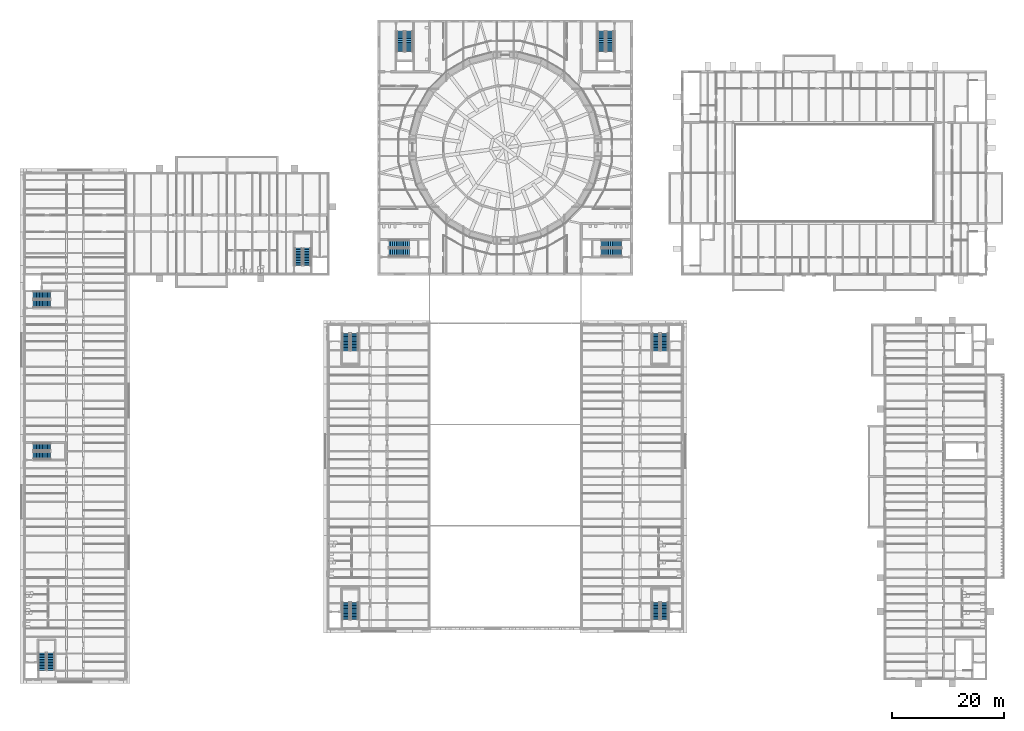
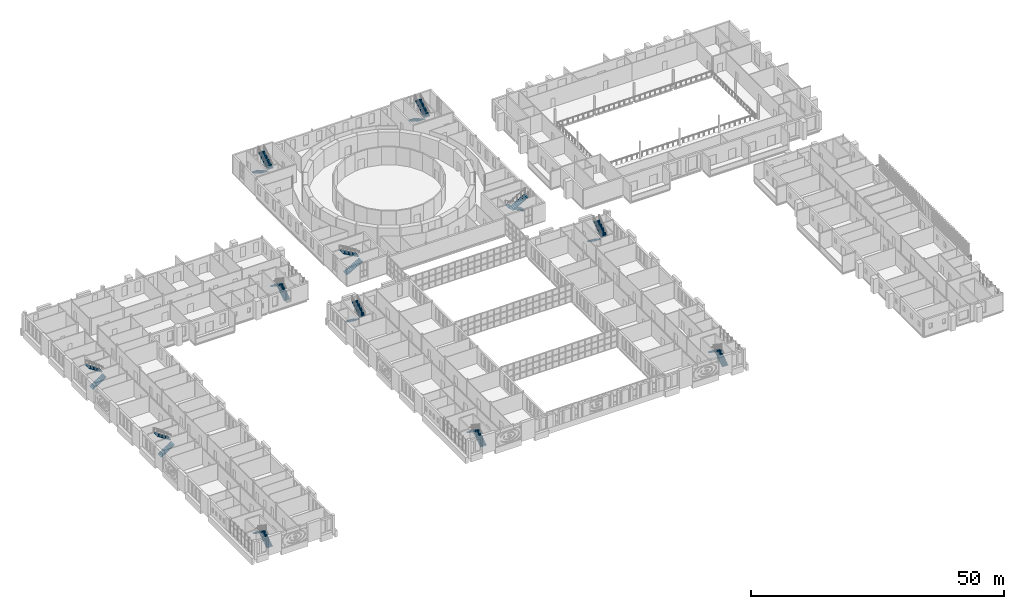
# One storey, part 96 of 131: 24 stair flights, 12 elements without a shape of their own.
"""IFC4 building model written with IfcOpenShell, lengths in metres."""

from ifc_helpers import new_model, si_unit, direction, frame, origin, place, context, subcontext, project, spatial, polyline, outline, extrude, material, type_object, element, aggregate, save


model = new_model("IFC4")

# Units and contexts
model_context = context("Model", 3, precision=1e-05, world=origin(), true_north=direction((0.0, 1.0)))
body_context = subcontext(model_context, "Body", "Model", "MODEL_VIEW")
ifc_project = project(units=[si_unit("LENGTHUNIT", "METRE"), si_unit("AREAUNIT", "SQUARE_METRE"), si_unit("VOLUMEUNIT", "CUBIC_METRE"), si_unit("PLANEANGLEUNIT", "RADIAN"), si_unit("MASSUNIT", "GRAM", prefix="KILO")], contexts=[model_context])

# Site, building, storey
site_placement = place(None, origin())
site = spatial("IfcSite", under=ifc_project, at=site_placement, CompositionType="ELEMENT")
building_placement = place(site_placement, origin())
building = spatial("IfcBuilding", under=site, at=building_placement, Name="Golden Quay Civic Hall", CompositionType="ELEMENT")
storey_placement = place(building_placement, frame((0.0, 0.0, 9.89990234375)))
storey = spatial("IfcBuildingStorey", under=building, at=storey_placement, Name="L02", CompositionType="ELEMENT", Elevation=9.89990234375)

# Stair, stair flights
ifc_material_1 = material(Name="Concrete C35/45", Category="concrete")
stair_type_1 = type_object("IfcStairType", Name="Concrete stair 1350 wide 24 risers of 187.5", PredefinedType="HALF_TURN_STAIR", material=ifc_material_1)
stair_1_placement = place(storey_placement, origin())
stair_1 = element("IfcStair", 1, at=stair_1_placement, inside=storey, type_object=stair_type_1, Name="L02 Stair WO-S", PredefinedType="HALF_TURN_STAIR")
ifc_material_2 = material(Name="Concrete C35/45", Category="concrete")
stair_flight_type_1 = type_object("IfcStairFlightType", Name="Concrete stair flight 1350 wide 12 risers of 187.5", PredefinedType="STRAIGHT", material=ifc_material_2)
stair_flight_1_placement = place(storey_placement, frame((4.675048828125, -7.449951171875, 0.0), z_axis=(0.0, 0.0, 1.0), x_axis=(0.0, 1.0, 0.0)))
stair_flight_1 = element("IfcStairFlight", 2, at=stair_flight_1_placement, type_object=stair_flight_type_1, Name="WO-S flight 1", NumberOfRisers=12, NumberOfTreads=11, PredefinedType="STRAIGHT", RiserHeight=0.1875, TreadLength=0.28, context=body_context, shape_type="SweptSolid", body=[
    extrude(outline(polyline([(0.0, 0.0), (0.0, 0.1875), (0.280029296875, 0.1875), (0.280029296875, 0.375), (0.56005859375, 0.375), (0.56005859375, 0.5625), (0.840087890625, 0.5625), (0.840087890625, 0.75), (1.1201171875, 0.75), (1.1201171875, 0.9375), (1.39990234375, 0.9375), (1.39990234375, 1.125), (1.679931640625, 1.125), (1.679931640625, 1.3125), (1.9599609375, 1.3125), (1.9599609375, 1.5), (2.239990234375, 1.5), (2.239990234375, 1.6875), (2.52001953125, 1.6875), (2.52001953125, 1.875), (2.800048828125, 1.875), (2.800048828125, 2.0625), (3.080078125, 2.0625), (3.080078125, 2.25), (3.080078125, 1.882080078125), (0.26953125, 0.0), (0.0, 0.0)])), frame((0.0, 0.675048828125, 0.0), z_axis=(0.0, -1.0, 0.0), x_axis=(1.0, 0.0, 0.0)), (0.0, 0.0, 1.0), 1.35),
])
stair_flight_2_placement = place(storey_placement, frame((3.175048828125, -4.3701171875, 2.25), z_axis=(0.0, 0.0, 1.0), x_axis=(0.0, -1.0, 0.0)))
stair_flight_2 = element("IfcStairFlight", 3, at=stair_flight_2_placement, type_object=stair_flight_type_1, Name="WO-S flight 2", NumberOfRisers=12, NumberOfTreads=11, PredefinedType="STRAIGHT", RiserHeight=0.1875, TreadLength=0.28, context=body_context, shape_type="SweptSolid", body=[
    extrude(outline(polyline([(0.0, 0.0), (0.0, 0.1875), (0.280029296875, 0.1875), (0.280029296875, 0.375), (0.56005859375, 0.375), (0.56005859375, 0.5625), (0.840087890625, 0.5625), (0.840087890625, 0.75), (1.1201171875, 0.75), (1.1201171875, 0.9375), (1.39990234375, 0.9375), (1.39990234375, 1.125), (1.679931640625, 1.125), (1.679931640625, 1.3125), (1.9599609375, 1.3125), (1.9599609375, 1.5), (2.239990234375, 1.5), (2.239990234375, 1.6875), (2.52001953125, 1.6875), (2.52001953125, 1.875), (2.800048828125, 1.875), (2.800048828125, 2.0625), (3.080078125, 2.0625), (3.080078125, 2.25), (3.080078125, 1.882080078125), (0.26953125, 0.0), (0.0, 0.0)])), frame((0.0, 0.675048828125, 0.0), z_axis=(0.0, -1.0, 0.0), x_axis=(1.0, 0.0, 0.0)), (0.0, 0.0, 1.0), 1.35),
])
aggregate(stair_1, [stair_flight_1, stair_flight_2])

stair_2_placement = place(storey_placement, origin())
stair_2 = element("IfcStair", 4, at=stair_2_placement, inside=storey, type_object=stair_type_1, Name="L02 Stair WO-N", PredefinedType="HALF_TURN_STAIR")
stair_flight_3_placement = place(storey_placement, frame((1.550048828125, 57.75, 0.0), z_axis=(0.0, 0.0, 1.0), x_axis=(1.0, 0.0, 0.0)))
stair_flight_3 = element("IfcStairFlight", 5, at=stair_flight_3_placement, type_object=stair_flight_type_1, Name="WO-N flight 1", NumberOfRisers=12, NumberOfTreads=11, PredefinedType="STRAIGHT", RiserHeight=0.1875, TreadLength=0.28, context=body_context, shape_type="SweptSolid", body=[
    extrude(outline(polyline([(0.0, 0.0), (0.0, 0.1875), (0.280029296875, 0.1875), (0.280029296875, 0.375), (0.56005859375, 0.375), (0.56005859375, 0.5625), (0.840087890625, 0.5625), (0.840087890625, 0.75), (1.1201171875, 0.75), (1.1201171875, 0.9375), (1.39990234375, 0.9375), (1.39990234375, 1.125), (1.679931640625, 1.125), (1.679931640625, 1.3125), (1.9599609375, 1.3125), (1.9599609375, 1.5), (2.239990234375, 1.5), (2.239990234375, 1.6875), (2.52001953125, 1.6875), (2.52001953125, 1.875), (2.800048828125, 1.875), (2.800048828125, 2.0625), (3.080078125, 2.0625), (3.080078125, 2.25), (3.080078125, 1.882080078125), (0.26953125, 0.0), (0.0, 0.0)])), frame((0.0, 0.675048828125, 0.0), z_axis=(0.0, -1.0, 0.0), x_axis=(1.0, 0.0, 0.0)), (0.0, 0.0, 1.0), 1.35),
])
stair_flight_4_placement = place(storey_placement, frame((4.6298828125, 59.25, 2.25), z_axis=(0.0, 0.0, 1.0), x_axis=(-1.0, 0.0, 0.0)))
stair_flight_4 = element("IfcStairFlight", 6, at=stair_flight_4_placement, type_object=stair_flight_type_1, Name="WO-N flight 2", NumberOfRisers=12, NumberOfTreads=11, PredefinedType="STRAIGHT", RiserHeight=0.1875, TreadLength=0.28, context=body_context, shape_type="SweptSolid", body=[
    extrude(outline(polyline([(0.0, 0.0), (0.0, 0.1875), (0.280029296875, 0.1875), (0.280029296875, 0.375), (0.56005859375, 0.375), (0.56005859375, 0.5625), (0.840087890625, 0.5625), (0.840087890625, 0.75), (1.1201171875, 0.75), (1.1201171875, 0.9375), (1.39990234375, 0.9375), (1.39990234375, 1.125), (1.679931640625, 1.125), (1.679931640625, 1.3125), (1.9599609375, 1.3125), (1.9599609375, 1.5), (2.239990234375, 1.5), (2.239990234375, 1.6875), (2.52001953125, 1.6875), (2.52001953125, 1.875), (2.800048828125, 1.875), (2.800048828125, 2.0625), (3.080078125, 2.0625), (3.080078125, 2.25), (3.080078125, 1.882080078125), (0.26953125, 0.0), (0.0, 0.0)])), frame((0.0, 0.675048828125, 0.0), z_axis=(0.0, -1.0, 0.0), x_axis=(1.0, 0.0, 0.0)), (0.0, 0.0, 1.0), 1.35),
])
aggregate(stair_2, [stair_flight_3, stair_flight_4])

stair_3_placement = place(storey_placement, origin())
stair_3 = element("IfcStair", 7, at=stair_3_placement, inside=storey, type_object=stair_type_1, Name="L02 Stair WO-M", PredefinedType="HALF_TURN_STAIR")
stair_flight_5_placement = place(storey_placement, frame((1.550048828125, 30.75, 0.0), z_axis=(0.0, 0.0, 1.0), x_axis=(1.0, 0.0, 0.0)))
stair_flight_5 = element("IfcStairFlight", 8, at=stair_flight_5_placement, type_object=stair_flight_type_1, Name="WO-M flight 1", NumberOfRisers=12, NumberOfTreads=11, PredefinedType="STRAIGHT", RiserHeight=0.1875, TreadLength=0.28, context=body_context, shape_type="SweptSolid", body=[
    extrude(outline(polyline([(0.0, 0.0), (0.0, 0.1875), (0.280029296875, 0.1875), (0.280029296875, 0.375), (0.56005859375, 0.375), (0.56005859375, 0.5625), (0.840087890625, 0.5625), (0.840087890625, 0.75), (1.1201171875, 0.75), (1.1201171875, 0.9375), (1.39990234375, 0.9375), (1.39990234375, 1.125), (1.679931640625, 1.125), (1.679931640625, 1.3125), (1.9599609375, 1.3125), (1.9599609375, 1.5), (2.239990234375, 1.5), (2.239990234375, 1.6875), (2.52001953125, 1.6875), (2.52001953125, 1.875), (2.800048828125, 1.875), (2.800048828125, 2.0625), (3.080078125, 2.0625), (3.080078125, 2.25), (3.080078125, 1.882080078125), (0.26953125, 0.0), (0.0, 0.0)])), frame((0.0, 0.675048828125, 0.0), z_axis=(0.0, -1.0, 0.0), x_axis=(1.0, 0.0, 0.0)), (0.0, 0.0, 1.0), 1.35),
])
stair_flight_6_placement = place(storey_placement, frame((4.6298828125, 32.25, 2.25), z_axis=(0.0, 0.0, 1.0), x_axis=(-1.0, 0.0, 0.0)))
stair_flight_6 = element("IfcStairFlight", 9, at=stair_flight_6_placement, type_object=stair_flight_type_1, Name="WO-M flight 2", NumberOfRisers=12, NumberOfTreads=11, PredefinedType="STRAIGHT", RiserHeight=0.1875, TreadLength=0.28, context=body_context, shape_type="SweptSolid", body=[
    extrude(outline(polyline([(0.0, 0.0), (0.0, 0.1875), (0.280029296875, 0.1875), (0.280029296875, 0.375), (0.56005859375, 0.375), (0.56005859375, 0.5625), (0.840087890625, 0.5625), (0.840087890625, 0.75), (1.1201171875, 0.75), (1.1201171875, 0.9375), (1.39990234375, 0.9375), (1.39990234375, 1.125), (1.679931640625, 1.125), (1.679931640625, 1.3125), (1.9599609375, 1.3125), (1.9599609375, 1.5), (2.239990234375, 1.5), (2.239990234375, 1.6875), (2.52001953125, 1.6875), (2.52001953125, 1.875), (2.800048828125, 1.875), (2.800048828125, 2.0625), (3.080078125, 2.0625), (3.080078125, 2.25), (3.080078125, 1.882080078125), (0.26953125, 0.0), (0.0, 0.0)])), frame((0.0, 0.675048828125, 0.0), z_axis=(0.0, -1.0, 0.0), x_axis=(1.0, 0.0, 0.0)), (0.0, 0.0, 1.0), 1.35),
])
aggregate(stair_3, [stair_flight_5, stair_flight_6])

stair_4_placement = place(storey_placement, origin())
stair_4 = element("IfcStair", 10, at=stair_4_placement, inside=storey, type_object=stair_type_1, Name="L02 Stair NW-E", PredefinedType="HALF_TURN_STAIR")
stair_flight_7_placement = place(storey_placement, frame((50.25, 64.550048828125, 0.0), z_axis=(0.0, 0.0, 1.0), x_axis=(0.0, 1.0, 0.0)))
stair_flight_7 = element("IfcStairFlight", 11, at=stair_flight_7_placement, type_object=stair_flight_type_1, Name="NW-E flight 1", NumberOfRisers=12, NumberOfTreads=11, PredefinedType="STRAIGHT", RiserHeight=0.1875, TreadLength=0.28, context=body_context, shape_type="SweptSolid", body=[
    extrude(outline(polyline([(0.0, 0.0), (0.0, 0.1875), (0.280029296875, 0.1875), (0.280029296875, 0.375), (0.56005859375, 0.375), (0.56005859375, 0.5625), (0.840087890625, 0.5625), (0.840087890625, 0.75), (1.1201171875, 0.75), (1.1201171875, 0.9375), (1.39990234375, 0.9375), (1.39990234375, 1.125), (1.679931640625, 1.125), (1.679931640625, 1.3125), (1.9599609375, 1.3125), (1.9599609375, 1.5), (2.239990234375, 1.5), (2.239990234375, 1.6875), (2.52001953125, 1.6875), (2.52001953125, 1.875), (2.800048828125, 1.875), (2.800048828125, 2.0625), (3.080078125, 2.0625), (3.080078125, 2.25), (3.080078125, 1.882080078125), (0.26953125, 0.0), (0.0, 0.0)])), frame((0.0, 0.675048828125, 0.0), z_axis=(0.0, -1.0, 0.0), x_axis=(1.0, 0.0, 0.0)), (0.0, 0.0, 1.0), 1.35),
])
stair_flight_8_placement = place(storey_placement, frame((48.75, 67.6298828125, 2.25), z_axis=(0.0, 0.0, 1.0), x_axis=(0.0, -1.0, 0.0)))
stair_flight_8 = element("IfcStairFlight", 12, at=stair_flight_8_placement, type_object=stair_flight_type_1, Name="NW-E flight 2", NumberOfRisers=12, NumberOfTreads=11, PredefinedType="STRAIGHT", RiserHeight=0.1875, TreadLength=0.28, context=body_context, shape_type="SweptSolid", body=[
    extrude(outline(polyline([(0.0, 0.0), (0.0, 0.1875), (0.280029296875, 0.1875), (0.280029296875, 0.375), (0.56005859375, 0.375), (0.56005859375, 0.5625), (0.840087890625, 0.5625), (0.840087890625, 0.75), (1.1201171875, 0.75), (1.1201171875, 0.9375), (1.39990234375, 0.9375), (1.39990234375, 1.125), (1.679931640625, 1.125), (1.679931640625, 1.3125), (1.9599609375, 1.3125), (1.9599609375, 1.5), (2.239990234375, 1.5), (2.239990234375, 1.6875), (2.52001953125, 1.6875), (2.52001953125, 1.875), (2.800048828125, 1.875), (2.800048828125, 2.0625), (3.080078125, 2.0625), (3.080078125, 2.25), (3.080078125, 1.882080078125), (0.26953125, 0.0), (0.0, 0.0)])), frame((0.0, 0.675048828125, 0.0), z_axis=(0.0, -1.0, 0.0), x_axis=(1.0, 0.0, 0.0)), (0.0, 0.0, 1.0), 1.35),
])
aggregate(stair_4, [stair_flight_7, stair_flight_8])

stair_5_placement = place(storey_placement, origin())
stair_5 = element("IfcStair", 13, at=stair_5_placement, inside=storey, type_object=stair_type_1, Name="L02 Stair WM-S", PredefinedType="HALF_TURN_STAIR")
stair_flight_9_placement = place(storey_placement, frame((58.675048828125, 1.550048828125, 0.0), z_axis=(0.0, 0.0, 1.0), x_axis=(0.0, 1.0, 0.0)))
stair_flight_9 = element("IfcStairFlight", 14, at=stair_flight_9_placement, type_object=stair_flight_type_1, Name="WM-S flight 1", NumberOfRisers=12, NumberOfTreads=11, PredefinedType="STRAIGHT", RiserHeight=0.1875, TreadLength=0.28, context=body_context, shape_type="SweptSolid", body=[
    extrude(outline(polyline([(0.0, 0.0), (0.0, 0.1875), (0.280029296875, 0.1875), (0.280029296875, 0.375), (0.56005859375, 0.375), (0.56005859375, 0.5625), (0.840087890625, 0.5625), (0.840087890625, 0.75), (1.1201171875, 0.75), (1.1201171875, 0.9375), (1.39990234375, 0.9375), (1.39990234375, 1.125), (1.679931640625, 1.125), (1.679931640625, 1.3125), (1.9599609375, 1.3125), (1.9599609375, 1.5), (2.239990234375, 1.5), (2.239990234375, 1.6875), (2.52001953125, 1.6875), (2.52001953125, 1.875), (2.800048828125, 1.875), (2.800048828125, 2.0625), (3.080078125, 2.0625), (3.080078125, 2.25), (3.080078125, 1.882080078125), (0.26953125, 0.0), (0.0, 0.0)])), frame((0.0, 0.675048828125, 0.0), z_axis=(0.0, -1.0, 0.0), x_axis=(1.0, 0.0, 0.0)), (0.0, 0.0, 1.0), 1.35),
])
stair_flight_10_placement = place(storey_placement, frame((57.175048828125, 4.6298828125, 2.25), z_axis=(0.0, 0.0, 1.0), x_axis=(0.0, -1.0, 0.0)))
stair_flight_10 = element("IfcStairFlight", 15, at=stair_flight_10_placement, type_object=stair_flight_type_1, Name="WM-S flight 2", NumberOfRisers=12, NumberOfTreads=11, PredefinedType="STRAIGHT", RiserHeight=0.1875, TreadLength=0.28, context=body_context, shape_type="SweptSolid", body=[
    extrude(outline(polyline([(0.0, 0.0), (0.0, 0.1875), (0.280029296875, 0.1875), (0.280029296875, 0.375), (0.56005859375, 0.375), (0.56005859375, 0.5625), (0.840087890625, 0.5625), (0.840087890625, 0.75), (1.1201171875, 0.75), (1.1201171875, 0.9375), (1.39990234375, 0.9375), (1.39990234375, 1.125), (1.679931640625, 1.125), (1.679931640625, 1.3125), (1.9599609375, 1.3125), (1.9599609375, 1.5), (2.239990234375, 1.5), (2.239990234375, 1.6875), (2.52001953125, 1.6875), (2.52001953125, 1.875), (2.800048828125, 1.875), (2.800048828125, 2.0625), (3.080078125, 2.0625), (3.080078125, 2.25), (3.080078125, 1.882080078125), (0.26953125, 0.0), (0.0, 0.0)])), frame((0.0, 0.675048828125, 0.0), z_axis=(0.0, -1.0, 0.0), x_axis=(1.0, 0.0, 0.0)), (0.0, 0.0, 1.0), 1.35),
])
aggregate(stair_5, [stair_flight_9, stair_flight_10])

stair_6_placement = place(storey_placement, origin())
stair_6 = element("IfcStair", 16, at=stair_6_placement, inside=storey, type_object=stair_type_1, Name="L02 Stair WM-N", PredefinedType="HALF_TURN_STAIR")
stair_flight_11_placement = place(storey_placement, frame((57.175048828125, 52.449951171875, 0.0), z_axis=(0.0, 0.0, 1.0), x_axis=(0.0, -1.0, 0.0)))
stair_flight_11 = element("IfcStairFlight", 17, at=stair_flight_11_placement, type_object=stair_flight_type_1, Name="WM-N flight 1", NumberOfRisers=12, NumberOfTreads=11, PredefinedType="STRAIGHT", RiserHeight=0.1875, TreadLength=0.28, context=body_context, shape_type="SweptSolid", body=[
    extrude(outline(polyline([(0.0, 0.0), (0.0, 0.1875), (0.280029296875, 0.1875), (0.280029296875, 0.375), (0.56005859375, 0.375), (0.56005859375, 0.5625), (0.840087890625, 0.5625), (0.840087890625, 0.75), (1.1201171875, 0.75), (1.1201171875, 0.9375), (1.39990234375, 0.9375), (1.39990234375, 1.125), (1.679931640625, 1.125), (1.679931640625, 1.3125), (1.9599609375, 1.3125), (1.9599609375, 1.5), (2.239990234375, 1.5), (2.239990234375, 1.6875), (2.52001953125, 1.6875), (2.52001953125, 1.875), (2.800048828125, 1.875), (2.800048828125, 2.0625), (3.080078125, 2.0625), (3.080078125, 2.25), (3.080078125, 1.882080078125), (0.26953125, 0.0), (0.0, 0.0)])), frame((0.0, 0.675048828125, 0.0), z_axis=(0.0, -1.0, 0.0), x_axis=(1.0, 0.0, 0.0)), (0.0, 0.0, 1.0), 1.35),
])
stair_flight_12_placement = place(storey_placement, frame((58.675048828125, 49.3701171875, 2.25), z_axis=(0.0, 0.0, 1.0), x_axis=(0.0, 1.0, 0.0)))
stair_flight_12 = element("IfcStairFlight", 18, at=stair_flight_12_placement, type_object=stair_flight_type_1, Name="WM-N flight 2", NumberOfRisers=12, NumberOfTreads=11, PredefinedType="STRAIGHT", RiserHeight=0.1875, TreadLength=0.28, context=body_context, shape_type="SweptSolid", body=[
    extrude(outline(polyline([(0.0, 0.0), (0.0, 0.1875), (0.280029296875, 0.1875), (0.280029296875, 0.375), (0.56005859375, 0.375), (0.56005859375, 0.5625), (0.840087890625, 0.5625), (0.840087890625, 0.75), (1.1201171875, 0.75), (1.1201171875, 0.9375), (1.39990234375, 0.9375), (1.39990234375, 1.125), (1.679931640625, 1.125), (1.679931640625, 1.3125), (1.9599609375, 1.3125), (1.9599609375, 1.5), (2.239990234375, 1.5), (2.239990234375, 1.6875), (2.52001953125, 1.6875), (2.52001953125, 1.875), (2.800048828125, 1.875), (2.800048828125, 2.0625), (3.080078125, 2.0625), (3.080078125, 2.25), (3.080078125, 1.882080078125), (0.26953125, 0.0), (0.0, 0.0)])), frame((0.0, 0.675048828125, 0.0), z_axis=(0.0, -1.0, 0.0), x_axis=(1.0, 0.0, 0.0)), (0.0, 0.0, 1.0), 1.35),
])
aggregate(stair_6, [stair_flight_11, stair_flight_12])

stair_7_placement = place(storey_placement, origin())
stair_7 = element("IfcStair", 19, at=stair_7_placement, inside=storey, type_object=stair_type_1, Name="L02 Stair EM-S", PredefinedType="HALF_TURN_STAIR")
stair_flight_13_placement = place(storey_placement, frame((113.824951171875, 1.550048828125, 0.0), z_axis=(0.0, 0.0, 1.0), x_axis=(0.0, 1.0, 0.0)))
stair_flight_13 = element("IfcStairFlight", 20, at=stair_flight_13_placement, type_object=stair_flight_type_1, Name="EM-S flight 1", NumberOfRisers=12, NumberOfTreads=11, PredefinedType="STRAIGHT", RiserHeight=0.1875, TreadLength=0.28, context=body_context, shape_type="SweptSolid", body=[
    extrude(outline(polyline([(0.0, 0.0), (0.0, 0.1875), (0.280029296875, 0.1875), (0.280029296875, 0.375), (0.56005859375, 0.375), (0.56005859375, 0.5625), (0.840087890625, 0.5625), (0.840087890625, 0.75), (1.1201171875, 0.75), (1.1201171875, 0.9375), (1.39990234375, 0.9375), (1.39990234375, 1.125), (1.679931640625, 1.125), (1.679931640625, 1.3125), (1.9599609375, 1.3125), (1.9599609375, 1.5), (2.239990234375, 1.5), (2.239990234375, 1.6875), (2.52001953125, 1.6875), (2.52001953125, 1.875), (2.800048828125, 1.875), (2.800048828125, 2.0625), (3.080078125, 2.0625), (3.080078125, 2.25), (3.080078125, 1.882080078125), (0.26953125, 0.0), (0.0, 0.0)])), frame((0.0, 0.675048828125, 0.0), z_axis=(0.0, -1.0, 0.0), x_axis=(1.0, 0.0, 0.0)), (0.0, 0.0, 1.0), 1.35),
])
stair_flight_14_placement = place(storey_placement, frame((112.324951171875, 4.6298828125, 2.25), z_axis=(0.0, 0.0, 1.0), x_axis=(0.0, -1.0, 0.0)))
stair_flight_14 = element("IfcStairFlight", 21, at=stair_flight_14_placement, type_object=stair_flight_type_1, Name="EM-S flight 2", NumberOfRisers=12, NumberOfTreads=11, PredefinedType="STRAIGHT", RiserHeight=0.1875, TreadLength=0.28, context=body_context, shape_type="SweptSolid", body=[
    extrude(outline(polyline([(0.0, 0.0), (0.0, 0.1875), (0.280029296875, 0.1875), (0.280029296875, 0.375), (0.56005859375, 0.375), (0.56005859375, 0.5625), (0.840087890625, 0.5625), (0.840087890625, 0.75), (1.1201171875, 0.75), (1.1201171875, 0.9375), (1.39990234375, 0.9375), (1.39990234375, 1.125), (1.679931640625, 1.125), (1.679931640625, 1.3125), (1.9599609375, 1.3125), (1.9599609375, 1.5), (2.239990234375, 1.5), (2.239990234375, 1.6875), (2.52001953125, 1.6875), (2.52001953125, 1.875), (2.800048828125, 1.875), (2.800048828125, 2.0625), (3.080078125, 2.0625), (3.080078125, 2.25), (3.080078125, 1.882080078125), (0.26953125, 0.0), (0.0, 0.0)])), frame((0.0, 0.675048828125, 0.0), z_axis=(0.0, -1.0, 0.0), x_axis=(1.0, 0.0, 0.0)), (0.0, 0.0, 1.0), 1.35),
])
aggregate(stair_7, [stair_flight_13, stair_flight_14])

stair_8_placement = place(storey_placement, origin())
stair_8 = element("IfcStair", 22, at=stair_8_placement, inside=storey, type_object=stair_type_1, Name="L02 Stair EM-N", PredefinedType="HALF_TURN_STAIR")
stair_flight_15_placement = place(storey_placement, frame((112.324951171875, 52.449951171875, 0.0), z_axis=(0.0, 0.0, 1.0), x_axis=(0.0, -1.0, 0.0)))
stair_flight_15 = element("IfcStairFlight", 23, at=stair_flight_15_placement, type_object=stair_flight_type_1, Name="EM-N flight 1", NumberOfRisers=12, NumberOfTreads=11, PredefinedType="STRAIGHT", RiserHeight=0.1875, TreadLength=0.28, context=body_context, shape_type="SweptSolid", body=[
    extrude(outline(polyline([(0.0, 0.0), (0.0, 0.1875), (0.280029296875, 0.1875), (0.280029296875, 0.375), (0.56005859375, 0.375), (0.56005859375, 0.5625), (0.840087890625, 0.5625), (0.840087890625, 0.75), (1.1201171875, 0.75), (1.1201171875, 0.9375), (1.39990234375, 0.9375), (1.39990234375, 1.125), (1.679931640625, 1.125), (1.679931640625, 1.3125), (1.9599609375, 1.3125), (1.9599609375, 1.5), (2.239990234375, 1.5), (2.239990234375, 1.6875), (2.52001953125, 1.6875), (2.52001953125, 1.875), (2.800048828125, 1.875), (2.800048828125, 2.0625), (3.080078125, 2.0625), (3.080078125, 2.25), (3.080078125, 1.882080078125), (0.26953125, 0.0), (0.0, 0.0)])), frame((0.0, 0.675048828125, 0.0), z_axis=(0.0, -1.0, 0.0), x_axis=(1.0, 0.0, 0.0)), (0.0, 0.0, 1.0), 1.35),
])
stair_flight_16_placement = place(storey_placement, frame((113.824951171875, 49.3701171875, 2.25), z_axis=(0.0, 0.0, 1.0), x_axis=(0.0, 1.0, 0.0)))
stair_flight_16 = element("IfcStairFlight", 24, at=stair_flight_16_placement, type_object=stair_flight_type_1, Name="EM-N flight 2", NumberOfRisers=12, NumberOfTreads=11, PredefinedType="STRAIGHT", RiserHeight=0.1875, TreadLength=0.28, context=body_context, shape_type="SweptSolid", body=[
    extrude(outline(polyline([(0.0, 0.0), (0.0, 0.1875), (0.280029296875, 0.1875), (0.280029296875, 0.375), (0.56005859375, 0.375), (0.56005859375, 0.5625), (0.840087890625, 0.5625), (0.840087890625, 0.75), (1.1201171875, 0.75), (1.1201171875, 0.9375), (1.39990234375, 0.9375), (1.39990234375, 1.125), (1.679931640625, 1.125), (1.679931640625, 1.3125), (1.9599609375, 1.3125), (1.9599609375, 1.5), (2.239990234375, 1.5), (2.239990234375, 1.6875), (2.52001953125, 1.6875), (2.52001953125, 1.875), (2.800048828125, 1.875), (2.800048828125, 2.0625), (3.080078125, 2.0625), (3.080078125, 2.25), (3.080078125, 1.882080078125), (0.26953125, 0.0), (0.0, 0.0)])), frame((0.0, 0.675048828125, 0.0), z_axis=(0.0, -1.0, 0.0), x_axis=(1.0, 0.0, 0.0)), (0.0, 0.0, 1.0), 1.35),
])
aggregate(stair_8, [stair_flight_15, stair_flight_16])

ifc_material_3 = material(Name="Concrete C35/45", Category="concrete")
stair_type_2 = type_object("IfcStairType", Name="Reinforced concrete stair 1350", PredefinedType="HALF_TURN_STAIR", material=ifc_material_3)
stair_9_placement = place(storey_placement, origin())
stair_9 = element("IfcStair", 25, at=stair_9_placement, inside=storey, type_object=stair_type_2, Name="L02 Core stair SW", PredefinedType="HALF_TURN_STAIR")
ifc_material_4 = material(Name="Concrete C35/45", Category="concrete")
stair_flight_type_2 = type_object("IfcStairFlightType", Name="Reinforced concrete stair flight 1350", PredefinedType="STRAIGHT", material=ifc_material_4)
stair_flight_17_placement = place(storey_placement, frame((64.800048828125, 66.875, 0.0), z_axis=(0.0, 0.0, 1.0), x_axis=(1.0, 0.0, 0.0)))
stair_flight_17 = element("IfcStairFlight", 26, at=stair_flight_17_placement, type_object=stair_flight_type_2, Name="CB-SW flight 1", NumberOfRisers=12, NumberOfTreads=11, PredefinedType="STRAIGHT", RiserHeight=0.1875, TreadLength=0.33, context=body_context, shape_type="SweptSolid", body=[
    extrude(outline(polyline([(0.0, 0.0), (0.0, 0.1875), (0.330078125, 0.1875), (0.330078125, 0.375), (0.659912109375, 0.375), (0.659912109375, 0.5625), (0.989990234375, 0.5625), (0.989990234375, 0.75), (1.320068359375, 0.75), (1.320068359375, 0.9375), (1.64990234375, 0.9375), (1.64990234375, 1.125), (1.97998046875, 1.125), (1.97998046875, 1.3125), (2.31005859375, 1.3125), (2.31005859375, 1.5), (2.639892578125, 1.5), (2.639892578125, 1.6875), (2.969970703125, 1.6875), (2.969970703125, 1.875), (3.300048828125, 1.875), (3.300048828125, 2.0625), (3.6298828125, 2.0625), (3.6298828125, 2.25), (3.6298828125, 1.89013671875), (0.303466796875, 0.0), (0.0, 0.0)])), frame((0.0, 0.675048828125, 0.0), z_axis=(0.0, -1.0, 0.0), x_axis=(1.0, 0.0, 0.0)), (0.0, 0.0, 1.0), 1.35),
])
stair_flight_18_placement = place(storey_placement, frame((68.429931640625, 68.375, 2.25), z_axis=(0.0, 0.0, 1.0), x_axis=(-1.0, 0.0, 0.0)))
stair_flight_18 = element("IfcStairFlight", 27, at=stair_flight_18_placement, type_object=stair_flight_type_2, Name="CB-SW flight 2", NumberOfRisers=12, NumberOfTreads=11, PredefinedType="STRAIGHT", RiserHeight=0.1875, TreadLength=0.33, context=body_context, shape_type="SweptSolid", body=[
    extrude(outline(polyline([(0.0, 0.0), (0.0, 0.1875), (0.330078125, 0.1875), (0.330078125, 0.375), (0.659912109375, 0.375), (0.659912109375, 0.5625), (0.989990234375, 0.5625), (0.989990234375, 0.75), (1.320068359375, 0.75), (1.320068359375, 0.9375), (1.64990234375, 0.9375), (1.64990234375, 1.125), (1.97998046875, 1.125), (1.97998046875, 1.3125), (2.31005859375, 1.3125), (2.31005859375, 1.5), (2.639892578125, 1.5), (2.639892578125, 1.6875), (2.969970703125, 1.6875), (2.969970703125, 1.875), (3.300048828125, 1.875), (3.300048828125, 2.0625), (3.6298828125, 2.0625), (3.6298828125, 2.25), (3.6298828125, 1.89013671875), (0.303466796875, 0.0), (0.0, 0.0)])), frame((0.0, 0.675048828125, 0.0), z_axis=(0.0, -1.0, 0.0), x_axis=(1.0, 0.0, 0.0)), (0.0, 0.0, 1.0), 1.35),
])
aggregate(stair_9, [stair_flight_17, stair_flight_18])

stair_10_placement = place(storey_placement, origin())
stair_10 = element("IfcStair", 28, at=stair_10_placement, inside=storey, type_object=stair_type_2, Name="L02 Core stair SE", PredefinedType="HALF_TURN_STAIR")
stair_flight_19_placement = place(storey_placement, frame((106.199951171875, 68.375, 0.0), z_axis=(0.0, 0.0, 1.0), x_axis=(-1.0, 0.0, 0.0)))
stair_flight_19 = element("IfcStairFlight", 29, at=stair_flight_19_placement, type_object=stair_flight_type_2, Name="CB-SE flight 1", NumberOfRisers=12, NumberOfTreads=11, PredefinedType="STRAIGHT", RiserHeight=0.1875, TreadLength=0.33, context=body_context, shape_type="SweptSolid", body=[
    extrude(outline(polyline([(0.0, 0.0), (0.0, 0.1875), (0.330078125, 0.1875), (0.330078125, 0.375), (0.659912109375, 0.375), (0.659912109375, 0.5625), (0.989990234375, 0.5625), (0.989990234375, 0.75), (1.320068359375, 0.75), (1.320068359375, 0.9375), (1.64990234375, 0.9375), (1.64990234375, 1.125), (1.97998046875, 1.125), (1.97998046875, 1.3125), (2.31005859375, 1.3125), (2.31005859375, 1.5), (2.639892578125, 1.5), (2.639892578125, 1.6875), (2.969970703125, 1.6875), (2.969970703125, 1.875), (3.300048828125, 1.875), (3.300048828125, 2.0625), (3.6298828125, 2.0625), (3.6298828125, 2.25), (3.6298828125, 1.89013671875), (0.303466796875, 0.0), (0.0, 0.0)])), frame((0.0, 0.675048828125, 0.0), z_axis=(0.0, -1.0, 0.0), x_axis=(1.0, 0.0, 0.0)), (0.0, 0.0, 1.0), 1.35),
])
stair_flight_20_placement = place(storey_placement, frame((102.570068359375, 66.875, 2.25), z_axis=(0.0, 0.0, 1.0), x_axis=(1.0, 0.0, 0.0)))
stair_flight_20 = element("IfcStairFlight", 30, at=stair_flight_20_placement, type_object=stair_flight_type_2, Name="CB-SE flight 2", NumberOfRisers=12, NumberOfTreads=11, PredefinedType="STRAIGHT", RiserHeight=0.1875, TreadLength=0.33, context=body_context, shape_type="SweptSolid", body=[
    extrude(outline(polyline([(0.0, 0.0), (0.0, 0.1875), (0.330078125, 0.1875), (0.330078125, 0.375), (0.659912109375, 0.375), (0.659912109375, 0.5625), (0.989990234375, 0.5625), (0.989990234375, 0.75), (1.320068359375, 0.75), (1.320068359375, 0.9375), (1.64990234375, 0.9375), (1.64990234375, 1.125), (1.97998046875, 1.125), (1.97998046875, 1.3125), (2.31005859375, 1.3125), (2.31005859375, 1.5), (2.639892578125, 1.5), (2.639892578125, 1.6875), (2.969970703125, 1.6875), (2.969970703125, 1.875), (3.300048828125, 1.875), (3.300048828125, 2.0625), (3.6298828125, 2.0625), (3.6298828125, 2.25), (3.6298828125, 1.89013671875), (0.303466796875, 0.0), (0.0, 0.0)])), frame((0.0, 0.675048828125, 0.0), z_axis=(0.0, -1.0, 0.0), x_axis=(1.0, 0.0, 0.0)), (0.0, 0.0, 1.0), 1.35),
])
aggregate(stair_10, [stair_flight_19, stair_flight_20])

stair_11_placement = place(storey_placement, origin())
stair_11 = element("IfcStair", 31, at=stair_11_placement, inside=storey, type_object=stair_type_2, Name="L02 Core stair NW", PredefinedType="HALF_TURN_STAIR")
stair_flight_21_placement = place(storey_placement, frame((66.875, 106.199951171875, 0.0), z_axis=(0.0, 0.0, 1.0), x_axis=(0.0, -1.0, 0.0)))
stair_flight_21 = element("IfcStairFlight", 32, at=stair_flight_21_placement, type_object=stair_flight_type_2, Name="CB-NW flight 1", NumberOfRisers=12, NumberOfTreads=11, PredefinedType="STRAIGHT", RiserHeight=0.1875, TreadLength=0.33, context=body_context, shape_type="SweptSolid", body=[
    extrude(outline(polyline([(0.0, 0.0), (0.0, 0.1875), (0.330078125, 0.1875), (0.330078125, 0.375), (0.659912109375, 0.375), (0.659912109375, 0.5625), (0.989990234375, 0.5625), (0.989990234375, 0.75), (1.320068359375, 0.75), (1.320068359375, 0.9375), (1.64990234375, 0.9375), (1.64990234375, 1.125), (1.97998046875, 1.125), (1.97998046875, 1.3125), (2.31005859375, 1.3125), (2.31005859375, 1.5), (2.639892578125, 1.5), (2.639892578125, 1.6875), (2.969970703125, 1.6875), (2.969970703125, 1.875), (3.300048828125, 1.875), (3.300048828125, 2.0625), (3.6298828125, 2.0625), (3.6298828125, 2.25), (3.6298828125, 1.89013671875), (0.303466796875, 0.0), (0.0, 0.0)])), frame((0.0, 0.675048828125, 0.0), z_axis=(0.0, -1.0, 0.0), x_axis=(1.0, 0.0, 0.0)), (0.0, 0.0, 1.0), 1.35),
])
stair_flight_22_placement = place(storey_placement, frame((68.375, 102.570068359375, 2.25), z_axis=(0.0, 0.0, 1.0), x_axis=(0.0, 1.0, 0.0)))
stair_flight_22 = element("IfcStairFlight", 33, at=stair_flight_22_placement, type_object=stair_flight_type_2, Name="CB-NW flight 2", NumberOfRisers=12, NumberOfTreads=11, PredefinedType="STRAIGHT", RiserHeight=0.1875, TreadLength=0.33, context=body_context, shape_type="SweptSolid", body=[
    extrude(outline(polyline([(0.0, 0.0), (0.0, 0.1875), (0.330078125, 0.1875), (0.330078125, 0.375), (0.659912109375, 0.375), (0.659912109375, 0.5625), (0.989990234375, 0.5625), (0.989990234375, 0.75), (1.320068359375, 0.75), (1.320068359375, 0.9375), (1.64990234375, 0.9375), (1.64990234375, 1.125), (1.97998046875, 1.125), (1.97998046875, 1.3125), (2.31005859375, 1.3125), (2.31005859375, 1.5), (2.639892578125, 1.5), (2.639892578125, 1.6875), (2.969970703125, 1.6875), (2.969970703125, 1.875), (3.300048828125, 1.875), (3.300048828125, 2.0625), (3.6298828125, 2.0625), (3.6298828125, 2.25), (3.6298828125, 1.89013671875), (0.303466796875, 0.0), (0.0, 0.0)])), frame((0.0, 0.675048828125, 0.0), z_axis=(0.0, -1.0, 0.0), x_axis=(1.0, 0.0, 0.0)), (0.0, 0.0, 1.0), 1.35),
])
aggregate(stair_11, [stair_flight_21, stair_flight_22])

stair_12_placement = place(storey_placement, origin())
stair_12 = element("IfcStair", 34, at=stair_12_placement, inside=storey, type_object=stair_type_2, Name="L02 Core stair NE", PredefinedType="HALF_TURN_STAIR")
stair_flight_23_placement = place(storey_placement, frame((102.625, 106.199951171875, 0.0), z_axis=(0.0, 0.0, 1.0), x_axis=(0.0, -1.0, 0.0)))
stair_flight_23 = element("IfcStairFlight", 35, at=stair_flight_23_placement, type_object=stair_flight_type_2, Name="CB-NE flight 1", NumberOfRisers=12, NumberOfTreads=11, PredefinedType="STRAIGHT", RiserHeight=0.1875, TreadLength=0.33, context=body_context, shape_type="SweptSolid", body=[
    extrude(outline(polyline([(0.0, 0.0), (0.0, 0.1875), (0.330078125, 0.1875), (0.330078125, 0.375), (0.659912109375, 0.375), (0.659912109375, 0.5625), (0.989990234375, 0.5625), (0.989990234375, 0.75), (1.320068359375, 0.75), (1.320068359375, 0.9375), (1.64990234375, 0.9375), (1.64990234375, 1.125), (1.97998046875, 1.125), (1.97998046875, 1.3125), (2.31005859375, 1.3125), (2.31005859375, 1.5), (2.639892578125, 1.5), (2.639892578125, 1.6875), (2.969970703125, 1.6875), (2.969970703125, 1.875), (3.300048828125, 1.875), (3.300048828125, 2.0625), (3.6298828125, 2.0625), (3.6298828125, 2.25), (3.6298828125, 1.89013671875), (0.303466796875, 0.0), (0.0, 0.0)])), frame((0.0, 0.675048828125, 0.0), z_axis=(0.0, -1.0, 0.0), x_axis=(1.0, 0.0, 0.0)), (0.0, 0.0, 1.0), 1.35),
])
stair_flight_24_placement = place(storey_placement, frame((104.125, 102.570068359375, 2.25), z_axis=(0.0, 0.0, 1.0), x_axis=(0.0, 1.0, 0.0)))
stair_flight_24 = element("IfcStairFlight", 36, at=stair_flight_24_placement, type_object=stair_flight_type_2, Name="CB-NE flight 2", NumberOfRisers=12, NumberOfTreads=11, PredefinedType="STRAIGHT", RiserHeight=0.1875, TreadLength=0.33, context=body_context, shape_type="SweptSolid", body=[
    extrude(outline(polyline([(0.0, 0.0), (0.0, 0.1875), (0.330078125, 0.1875), (0.330078125, 0.375), (0.659912109375, 0.375), (0.659912109375, 0.5625), (0.989990234375, 0.5625), (0.989990234375, 0.75), (1.320068359375, 0.75), (1.320068359375, 0.9375), (1.64990234375, 0.9375), (1.64990234375, 1.125), (1.97998046875, 1.125), (1.97998046875, 1.3125), (2.31005859375, 1.3125), (2.31005859375, 1.5), (2.639892578125, 1.5), (2.639892578125, 1.6875), (2.969970703125, 1.6875), (2.969970703125, 1.875), (3.300048828125, 1.875), (3.300048828125, 2.0625), (3.6298828125, 2.0625), (3.6298828125, 2.25), (3.6298828125, 1.89013671875), (0.303466796875, 0.0), (0.0, 0.0)])), frame((0.0, 0.675048828125, 0.0), z_axis=(0.0, -1.0, 0.0), x_axis=(1.0, 0.0, 0.0)), (0.0, 0.0, 1.0), 1.35),
])
aggregate(stair_12, [stair_flight_23, stair_flight_24])

save(model, "model.ifc")
